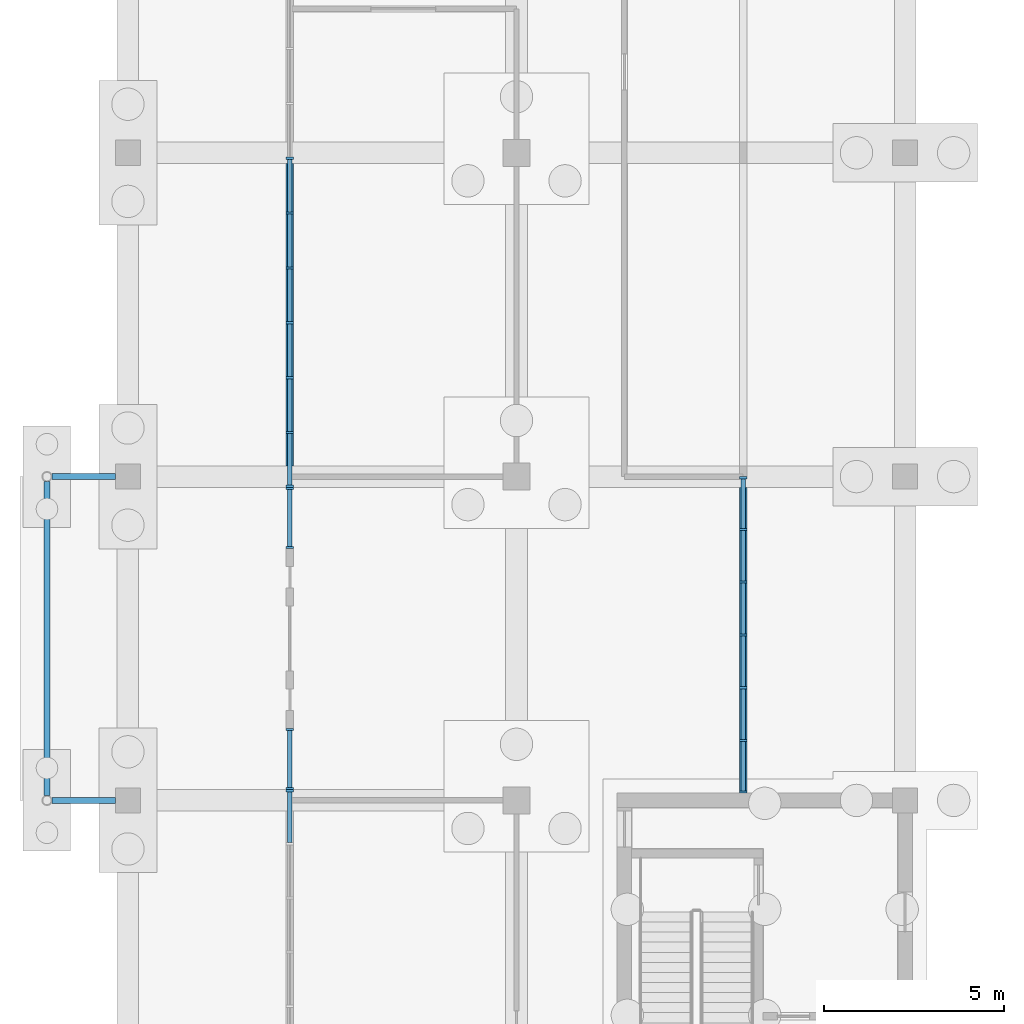
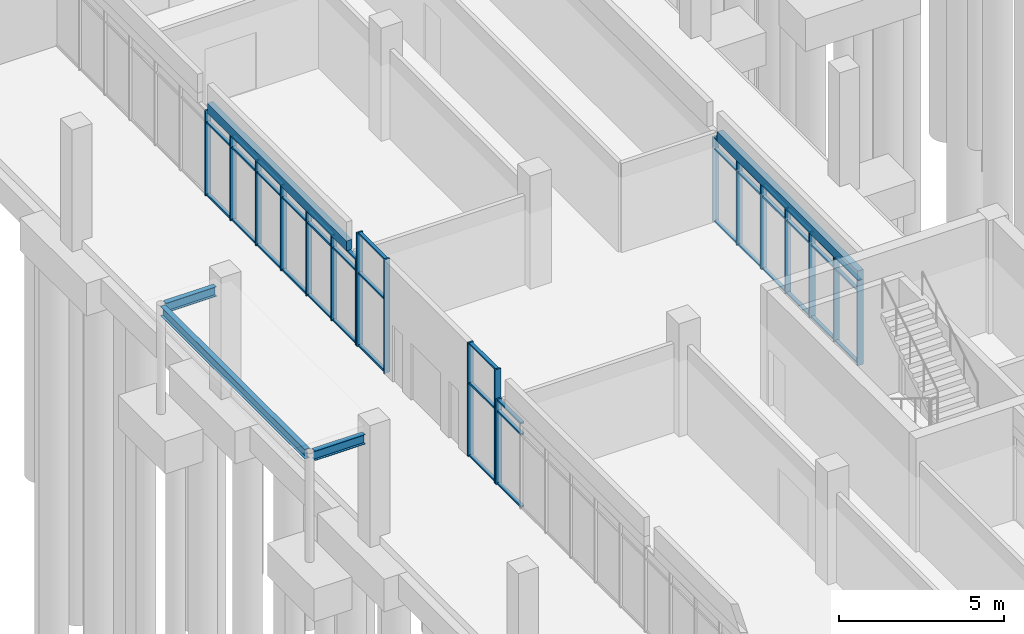
# One storey, part 42 of 106: 63 members, 5 beams, 5 elements without a shape of their own.
"""IFC4 building model written with IfcOpenShell, lengths in metres."""

from ifc_helpers import new_model, si_unit, direction, frame, origin, origin_2d, place, context, subcontext, project, spatial, rectangle, i_section, extrude, material, material_profile, profile_set, type_object, element, aggregate, save


model = new_model("IFC4")

# Units and contexts
model_context = context("Model", 3, precision=1e-05, world=origin(), true_north=direction((0.0, 1.0)))
body_context = subcontext(model_context, "Body", "Model", "MODEL_VIEW")
ifc_project = project(units=[si_unit("LENGTHUNIT", "METRE"), si_unit("AREAUNIT", "SQUARE_METRE"), si_unit("VOLUMEUNIT", "CUBIC_METRE"), si_unit("PLANEANGLEUNIT", "RADIAN"), si_unit("MASSUNIT", "GRAM", prefix="KILO")], contexts=[model_context])

# Site, building, storey
site_placement = place(None, origin())
site = spatial("IfcSite", under=ifc_project, at=site_placement, CompositionType="ELEMENT")
building_placement = place(site_placement, origin())
building = spatial("IfcBuilding", under=site, at=building_placement, Name="Merrow Basin Faculty of Sciences", CompositionType="ELEMENT")
storey_placement = place(building_placement, origin())
storey = spatial("IfcBuildingStorey", under=building, at=storey_placement, Name="L00", CompositionType="ELEMENT", Elevation=0.0)

# Curtain wall, member
ifc_material_1 = material(Name="Aluminium alloy 6063", Category="aluminium")
curtain_wall_type = type_object("IfcCurtainWallType", Name="Bar ground curtain wall 200", PredefinedType="NOTDEFINED", material=ifc_material_1)
curtain_wall_1_placement = place(storey_placement, origin())
curtain_wall_1 = element("IfcCurtainWall", 1, at=curtain_wall_1_placement, inside=storey, type_object=curtain_wall_type, Name="Ground curtain wall L00 1", PredefinedType="NOTDEFINED")
ifc_material_2 = material(Name="Aluminium alloy 6063", Category="aluminium")
ifc_material_profile_1 = material_profile(ifc_material_2, rectangle(XDim=0.199951171875, YDim=0.06005859375, at=origin_2d()))
ifc_profile_set_1 = profile_set([ifc_material_profile_1], Name="Aluminium alloy 6063")
member_type_1 = type_object("IfcMemberType", Name="Aluminium mullion 60x200", PredefinedType="MULLION", material=ifc_profile_set_1)
member_1_placement = place(storey_placement, frame((4.5, 97.27001953125, 0.0), z_axis=(0.0, 0.0, 1.0), x_axis=(-1.0, 0.0, 0.0)))
member_1 = element("IfcMember", 2, at=member_1_placement, type_object=member_type_1, Name="CW2 mullion 19", PredefinedType="MULLION", context=body_context, shape_type="SweptSolid", body=[
    extrude(rectangle(XDim=0.199951171875, YDim=0.06005859375, at=origin_2d()), origin(), (0.0, 0.0, 1.0), 3.139892578125),
])

# Curtain wall, members
curtain_wall_2_placement = place(storey_placement, origin())
curtain_wall_2 = element("IfcCurtainWall", 3, at=curtain_wall_2_placement, inside=storey, type_object=curtain_wall_type, Name="Ground curtain wall L00 2", PredefinedType="NOTDEFINED")
member_2_placement = place(storey_placement, frame((4.5, 97.330078125, 0.0), z_axis=(0.0, 0.0, 1.0), x_axis=(-1.0, 0.0, 0.0)))
member_2 = element("IfcMember", 4, at=member_2_placement, type_object=member_type_1, Name="CW2 mullion 1", PredefinedType="MULLION", context=body_context, shape_type="SweptSolid", body=[
    extrude(rectangle(XDim=0.199951171875, YDim=0.06005859375, at=origin_2d()), origin(), (0.0, 0.0, 1.0), 4.199951171875),
])
member_3_placement = place(storey_placement, frame((4.5, 98.969970703125, 0.0), z_axis=(0.0, 0.0, 1.0), x_axis=(-1.0, 0.0, 0.0)))
member_3 = element("IfcMember", 5, at=member_3_placement, type_object=member_type_1, Name="CW2 mullion 2", PredefinedType="MULLION", context=body_context, shape_type="SweptSolid", body=[
    extrude(rectangle(XDim=0.199951171875, YDim=0.06005859375, at=origin_2d()), origin(), (0.0, 0.0, 1.0), 4.199951171875),
])

curtain_wall_3_placement = place(storey_placement, origin())
curtain_wall_3 = element("IfcCurtainWall", 6, at=curtain_wall_3_placement, inside=storey, type_object=curtain_wall_type, Name="Ground curtain wall L00 3", PredefinedType="NOTDEFINED")
member_4_placement = place(storey_placement, frame((4.5, 105.72998046875, 0.0), z_axis=(0.0, 0.0, 1.0), x_axis=(-1.0, 0.0, 0.0)))
member_4 = element("IfcMember", 7, at=member_4_placement, type_object=member_type_1, Name="CW2 mullion 1", PredefinedType="MULLION", context=body_context, shape_type="SweptSolid", body=[
    extrude(rectangle(XDim=0.199951171875, YDim=0.06005859375, at=origin_2d()), origin(), (0.0, 0.0, 1.0), 3.139892578125),
])
member_5_placement = place(storey_placement, frame((4.5, 107.22509765625, 0.0), z_axis=(0.0, 0.0, 1.0), x_axis=(-1.0, 0.0, 0.0)))
member_5 = element("IfcMember", 8, at=member_5_placement, type_object=member_type_1, Name="CW2 mullion 2", PredefinedType="MULLION", context=body_context, shape_type="SweptSolid", body=[
    extrude(rectangle(XDim=0.199951171875, YDim=0.06005859375, at=origin_2d()), origin(), (0.0, 0.0, 1.0), 3.139892578125),
])
member_6_placement = place(storey_placement, frame((4.5, 108.75, 0.0), z_axis=(0.0, 0.0, 1.0), x_axis=(-1.0, 0.0, 0.0)))
member_6 = element("IfcMember", 9, at=member_6_placement, type_object=member_type_1, Name="CW2 mullion 3", PredefinedType="MULLION", context=body_context, shape_type="SweptSolid", body=[
    extrude(rectangle(XDim=0.199951171875, YDim=0.06005859375, at=origin_2d()), origin(), (0.0, 0.0, 1.0), 3.139892578125),
])
member_7_placement = place(storey_placement, frame((4.5, 110.27490234375, 0.0), z_axis=(0.0, 0.0, 1.0), x_axis=(-1.0, 0.0, 0.0)))
member_7 = element("IfcMember", 10, at=member_7_placement, type_object=member_type_1, Name="CW2 mullion 4", PredefinedType="MULLION", context=body_context, shape_type="SweptSolid", body=[
    extrude(rectangle(XDim=0.199951171875, YDim=0.06005859375, at=origin_2d()), origin(), (0.0, 0.0, 1.0), 3.139892578125),
])
member_8_placement = place(storey_placement, frame((4.5, 111.800048828125, 0.0), z_axis=(0.0, 0.0, 1.0), x_axis=(-1.0, 0.0, 0.0)))
member_8 = element("IfcMember", 11, at=member_8_placement, type_object=member_type_1, Name="CW2 mullion 5", PredefinedType="MULLION", context=body_context, shape_type="SweptSolid", body=[
    extrude(rectangle(XDim=0.199951171875, YDim=0.06005859375, at=origin_2d()), origin(), (0.0, 0.0, 1.0), 3.139892578125),
])
member_9_placement = place(storey_placement, frame((4.5, 113.324951171875, 0.0), z_axis=(0.0, 0.0, 1.0), x_axis=(-1.0, 0.0, 0.0)))
member_9 = element("IfcMember", 12, at=member_9_placement, type_object=member_type_1, Name="CW2 mullion 6", PredefinedType="MULLION", context=body_context, shape_type="SweptSolid", body=[
    extrude(rectangle(XDim=0.199951171875, YDim=0.06005859375, at=origin_2d()), origin(), (0.0, 0.0, 1.0), 3.139892578125),
])
member_10_placement = place(storey_placement, frame((4.5, 114.85009765625, 0.0), z_axis=(0.0, 0.0, 1.0), x_axis=(-1.0, 0.0, 0.0)))
member_10 = element("IfcMember", 13, at=member_10_placement, type_object=member_type_1, Name="CW2 mullion 7", PredefinedType="MULLION", context=body_context, shape_type="SweptSolid", body=[
    extrude(rectangle(XDim=0.199951171875, YDim=0.06005859375, at=origin_2d()), origin(), (0.0, 0.0, 1.0), 3.139892578125),
])

curtain_wall_4_placement = place(storey_placement, origin())
curtain_wall_4 = element("IfcCurtainWall", 14, at=curtain_wall_4_placement, inside=storey, type_object=curtain_wall_type, Name="Ground curtain wall L00 4", PredefinedType="NOTDEFINED")
member_11_placement = place(storey_placement, frame((4.5, 104.030029296875, 0.0), z_axis=(0.0, 0.0, 1.0), x_axis=(-1.0, 0.0, 0.0)))
member_11 = element("IfcMember", 15, at=member_11_placement, type_object=member_type_1, Name="CW2 mullion 1", PredefinedType="MULLION", context=body_context, shape_type="SweptSolid", body=[
    extrude(rectangle(XDim=0.199951171875, YDim=0.06005859375, at=origin_2d()), origin(), (0.0, 0.0, 1.0), 4.199951171875),
])
member_12_placement = place(storey_placement, frame((4.5, 105.669921875, 0.0), z_axis=(0.0, 0.0, 1.0), x_axis=(-1.0, 0.0, 0.0)))
member_12 = element("IfcMember", 16, at=member_12_placement, type_object=member_type_1, Name="CW2 mullion 2", PredefinedType="MULLION", context=body_context, shape_type="SweptSolid", body=[
    extrude(rectangle(XDim=0.199951171875, YDim=0.06005859375, at=origin_2d()), origin(), (0.0, 0.0, 1.0), 4.199951171875),
])

curtain_wall_5_placement = place(storey_placement, origin())
curtain_wall_5 = element("IfcCurtainWall", 17, at=curtain_wall_5_placement, inside=storey, type_object=curtain_wall_type, Name="Ground curtain wall L00 6", PredefinedType="NOTDEFINED")
member_13_placement = place(storey_placement, frame((17.10009765625, 97.22998046875, 0.0), z_axis=(0.0, 0.0, 1.0), x_axis=(-1.0, 0.0, 0.0)))
member_13 = element("IfcMember", 18, at=member_13_placement, type_object=member_type_1, Name="CW2 mullion 1", PredefinedType="MULLION", context=body_context, shape_type="SweptSolid", body=[
    extrude(rectangle(XDim=0.199951171875, YDim=0.06005859375, at=origin_2d()), origin(), (0.0, 0.0, 1.0), 3.139892578125),
])
member_14_placement = place(storey_placement, frame((17.10009765625, 98.666748046875, 0.0), z_axis=(0.0, 0.0, 1.0), x_axis=(-1.0, 0.0, 0.0)))
member_14 = element("IfcMember", 19, at=member_14_placement, type_object=member_type_1, Name="CW2 mullion 2", PredefinedType="MULLION", context=body_context, shape_type="SweptSolid", body=[
    extrude(rectangle(XDim=0.199951171875, YDim=0.06005859375, at=origin_2d()), origin(), (0.0, 0.0, 1.0), 3.139892578125),
])
member_15_placement = place(storey_placement, frame((17.10009765625, 100.13330078125, 0.0), z_axis=(0.0, 0.0, 1.0), x_axis=(-1.0, 0.0, 0.0)))
member_15 = element("IfcMember", 20, at=member_15_placement, type_object=member_type_1, Name="CW2 mullion 3", PredefinedType="MULLION", context=body_context, shape_type="SweptSolid", body=[
    extrude(rectangle(XDim=0.199951171875, YDim=0.06005859375, at=origin_2d()), origin(), (0.0, 0.0, 1.0), 3.139892578125),
])
member_16_placement = place(storey_placement, frame((17.10009765625, 101.60009765625, 0.0), z_axis=(0.0, 0.0, 1.0), x_axis=(-1.0, 0.0, 0.0)))
member_16 = element("IfcMember", 21, at=member_16_placement, type_object=member_type_1, Name="CW2 mullion 4", PredefinedType="MULLION", context=body_context, shape_type="SweptSolid", body=[
    extrude(rectangle(XDim=0.199951171875, YDim=0.06005859375, at=origin_2d()), origin(), (0.0, 0.0, 1.0), 3.139892578125),
])
member_17_placement = place(storey_placement, frame((17.10009765625, 103.066650390625, 0.0), z_axis=(0.0, 0.0, 1.0), x_axis=(-1.0, 0.0, 0.0)))
member_17 = element("IfcMember", 22, at=member_17_placement, type_object=member_type_1, Name="CW2 mullion 5", PredefinedType="MULLION", context=body_context, shape_type="SweptSolid", body=[
    extrude(rectangle(XDim=0.199951171875, YDim=0.06005859375, at=origin_2d()), origin(), (0.0, 0.0, 1.0), 3.139892578125),
])
member_18_placement = place(storey_placement, frame((17.10009765625, 104.533447265625, 0.0), z_axis=(0.0, 0.0, 1.0), x_axis=(-1.0, 0.0, 0.0)))
member_18 = element("IfcMember", 23, at=member_18_placement, type_object=member_type_1, Name="CW2 mullion 6", PredefinedType="MULLION", context=body_context, shape_type="SweptSolid", body=[
    extrude(rectangle(XDim=0.199951171875, YDim=0.06005859375, at=origin_2d()), origin(), (0.0, 0.0, 1.0), 3.139892578125),
])
member_19_placement = place(storey_placement, frame((17.10009765625, 105.969970703125, 0.0), z_axis=(0.0, 0.0, 1.0), x_axis=(-1.0, 0.0, 0.0)))
member_19 = element("IfcMember", 24, at=member_19_placement, type_object=member_type_1, Name="CW2 mullion 7", PredefinedType="MULLION", context=body_context, shape_type="SweptSolid", body=[
    extrude(rectangle(XDim=0.199951171875, YDim=0.06005859375, at=origin_2d()), origin(), (0.0, 0.0, 1.0), 3.139892578125),
])

# Member
ifc_material_3 = material(Name="Aluminium alloy 6063", Category="aluminium")
ifc_material_profile_2 = material_profile(ifc_material_3, rectangle(XDim=0.1201171875, YDim=0.06005859375, at=origin_2d()))
ifc_profile_set_2 = profile_set([ifc_material_profile_2], Name="Aluminium alloy 6063")
member_type_2 = type_object("IfcMemberType", Name="Aluminium transom 60x120", PredefinedType="USERDEFINED", material=ifc_profile_set_2)
member_20_placement = place(storey_placement, frame((4.5, 95.824462890625, 0.030029296875), z_axis=(0.0, 1.0, 0.0), x_axis=(-1.0, 0.0, 0.0)))
member_20 = element("IfcMember", 25, at=member_20_placement, type_object=member_type_2, Name="CW2 transom 18.1", ObjectType="TRANSOM", PredefinedType="USERDEFINED", context=body_context, shape_type="SweptSolid", body=[
    extrude(rectangle(XDim=0.1201171875, YDim=0.06005859375, at=origin_2d()), origin(), (0.0, 0.0, 1.0), 1.41552734375),
])

member_21_placement = place(storey_placement, frame((4.5, 95.824462890625, 2.699951171875), z_axis=(0.0, 1.0, 0.0), x_axis=(-1.0, 0.0, 0.0)))
member_21 = element("IfcMember", 26, at=member_21_placement, type_object=member_type_2, Name="CW2 transom 18.2", ObjectType="TRANSOM", PredefinedType="USERDEFINED", context=body_context, shape_type="SweptSolid", body=[
    extrude(rectangle(XDim=0.1201171875, YDim=0.06005859375, at=origin_2d()), origin(), (0.0, 0.0, 1.0), 1.41552734375),
])

member_22_placement = place(storey_placement, frame((4.5, 95.824462890625, 3.110107421875), z_axis=(0.0, 1.0, 0.0), x_axis=(-1.0, 0.0, 0.0)))
member_22 = element("IfcMember", 27, at=member_22_placement, type_object=member_type_2, Name="CW2 transom 18.3", ObjectType="TRANSOM", PredefinedType="USERDEFINED", context=body_context, shape_type="SweptSolid", body=[
    extrude(rectangle(XDim=0.1201171875, YDim=0.06005859375, at=origin_2d()), origin(), (0.0, 0.0, 1.0), 1.41552734375),
])

aggregate(curtain_wall_1, [member_1, member_20, member_21, member_22])

member_23_placement = place(storey_placement, frame((4.5, 97.360107421875, 0.030029296875), z_axis=(0.0, 1.0, 0.0), x_axis=(-1.0, 0.0, 0.0)))
member_23 = element("IfcMember", 28, at=member_23_placement, type_object=member_type_2, Name="CW2 transom 1.1", ObjectType="TRANSOM", PredefinedType="USERDEFINED", context=body_context, shape_type="SweptSolid", body=[
    extrude(rectangle(XDim=0.1201171875, YDim=0.06005859375, at=origin_2d()), origin(), (0.0, 0.0, 1.0), 1.579833984375),
])

member_24_placement = place(storey_placement, frame((4.5, 97.360107421875, 2.699951171875), z_axis=(0.0, 1.0, 0.0), x_axis=(-1.0, 0.0, 0.0)))
member_24 = element("IfcMember", 29, at=member_24_placement, type_object=member_type_2, Name="CW2 transom 1.2", ObjectType="TRANSOM", PredefinedType="USERDEFINED", context=body_context, shape_type="SweptSolid", body=[
    extrude(rectangle(XDim=0.1201171875, YDim=0.06005859375, at=origin_2d()), origin(), (0.0, 0.0, 1.0), 1.579833984375),
])

member_25_placement = place(storey_placement, frame((4.5, 97.360107421875, 4.169921875), z_axis=(0.0, 1.0, 0.0), x_axis=(-1.0, 0.0, 0.0)))
member_25 = element("IfcMember", 30, at=member_25_placement, type_object=member_type_2, Name="CW2 transom 1.3", ObjectType="TRANSOM", PredefinedType="USERDEFINED", context=body_context, shape_type="SweptSolid", body=[
    extrude(rectangle(XDim=0.1201171875, YDim=0.06005859375, at=origin_2d()), origin(), (0.0, 0.0, 1.0), 1.579833984375),
])

aggregate(curtain_wall_2, [member_2, member_3, member_23, member_24, member_25])

member_26_placement = place(storey_placement, frame((4.5, 105.760009765625, 0.030029296875), z_axis=(0.0, 1.0, 0.0), x_axis=(-1.0, 0.0, 0.0)))
member_26 = element("IfcMember", 31, at=member_26_placement, type_object=member_type_2, Name="CW2 transom 1.1", ObjectType="TRANSOM", PredefinedType="USERDEFINED", context=body_context, shape_type="SweptSolid", body=[
    extrude(rectangle(XDim=0.1201171875, YDim=0.06005859375, at=origin_2d()), origin(), (0.0, 0.0, 1.0), 1.43505859375),
])

member_27_placement = place(storey_placement, frame((4.5, 105.760009765625, 2.699951171875), z_axis=(0.0, 1.0, 0.0), x_axis=(-1.0, 0.0, 0.0)))
member_27 = element("IfcMember", 32, at=member_27_placement, type_object=member_type_2, Name="CW2 transom 1.2", ObjectType="TRANSOM", PredefinedType="USERDEFINED", context=body_context, shape_type="SweptSolid", body=[
    extrude(rectangle(XDim=0.1201171875, YDim=0.06005859375, at=origin_2d()), origin(), (0.0, 0.0, 1.0), 1.43505859375),
])

member_28_placement = place(storey_placement, frame((4.5, 105.760009765625, 3.110107421875), z_axis=(0.0, 1.0, 0.0), x_axis=(-1.0, 0.0, 0.0)))
member_28 = element("IfcMember", 33, at=member_28_placement, type_object=member_type_2, Name="CW2 transom 1.3", ObjectType="TRANSOM", PredefinedType="USERDEFINED", context=body_context, shape_type="SweptSolid", body=[
    extrude(rectangle(XDim=0.1201171875, YDim=0.06005859375, at=origin_2d()), origin(), (0.0, 0.0, 1.0), 1.43505859375),
])

member_29_placement = place(storey_placement, frame((4.5, 107.2548828125, 0.030029296875), z_axis=(0.0, 1.0, 0.0), x_axis=(-1.0, 0.0, 0.0)))
member_29 = element("IfcMember", 34, at=member_29_placement, type_object=member_type_2, Name="CW2 transom 2.1", ObjectType="TRANSOM", PredefinedType="USERDEFINED", context=body_context, shape_type="SweptSolid", body=[
    extrude(rectangle(XDim=0.1201171875, YDim=0.06005859375, at=origin_2d()), origin(), (0.0, 0.0, 1.0), 1.465087890625),
])

member_30_placement = place(storey_placement, frame((4.5, 107.2548828125, 2.699951171875), z_axis=(0.0, 1.0, 0.0), x_axis=(-1.0, 0.0, 0.0)))
member_30 = element("IfcMember", 35, at=member_30_placement, type_object=member_type_2, Name="CW2 transom 2.2", ObjectType="TRANSOM", PredefinedType="USERDEFINED", context=body_context, shape_type="SweptSolid", body=[
    extrude(rectangle(XDim=0.1201171875, YDim=0.06005859375, at=origin_2d()), origin(), (0.0, 0.0, 1.0), 1.465087890625),
])

member_31_placement = place(storey_placement, frame((4.5, 107.2548828125, 3.110107421875), z_axis=(0.0, 1.0, 0.0), x_axis=(-1.0, 0.0, 0.0)))
member_31 = element("IfcMember", 36, at=member_31_placement, type_object=member_type_2, Name="CW2 transom 2.3", ObjectType="TRANSOM", PredefinedType="USERDEFINED", context=body_context, shape_type="SweptSolid", body=[
    extrude(rectangle(XDim=0.1201171875, YDim=0.06005859375, at=origin_2d()), origin(), (0.0, 0.0, 1.0), 1.465087890625),
])

member_32_placement = place(storey_placement, frame((4.5, 108.780029296875, 0.030029296875), z_axis=(0.0, 1.0, 0.0), x_axis=(-1.0, 0.0, 0.0)))
member_32 = element("IfcMember", 37, at=member_32_placement, type_object=member_type_2, Name="CW2 transom 3.1", ObjectType="TRANSOM", PredefinedType="USERDEFINED", context=body_context, shape_type="SweptSolid", body=[
    extrude(rectangle(XDim=0.1201171875, YDim=0.06005859375, at=origin_2d()), origin(), (0.0, 0.0, 1.0), 1.465087890625),
])

member_33_placement = place(storey_placement, frame((4.5, 108.780029296875, 2.699951171875), z_axis=(0.0, 1.0, 0.0), x_axis=(-1.0, 0.0, 0.0)))
member_33 = element("IfcMember", 38, at=member_33_placement, type_object=member_type_2, Name="CW2 transom 3.2", ObjectType="TRANSOM", PredefinedType="USERDEFINED", context=body_context, shape_type="SweptSolid", body=[
    extrude(rectangle(XDim=0.1201171875, YDim=0.06005859375, at=origin_2d()), origin(), (0.0, 0.0, 1.0), 1.465087890625),
])

member_34_placement = place(storey_placement, frame((4.5, 108.780029296875, 3.110107421875), z_axis=(0.0, 1.0, 0.0), x_axis=(-1.0, 0.0, 0.0)))
member_34 = element("IfcMember", 39, at=member_34_placement, type_object=member_type_2, Name="CW2 transom 3.3", ObjectType="TRANSOM", PredefinedType="USERDEFINED", context=body_context, shape_type="SweptSolid", body=[
    extrude(rectangle(XDim=0.1201171875, YDim=0.06005859375, at=origin_2d()), origin(), (0.0, 0.0, 1.0), 1.465087890625),
])

member_35_placement = place(storey_placement, frame((4.5, 110.304931640625, 0.030029296875), z_axis=(0.0, 1.0, 0.0), x_axis=(-1.0, 0.0, 0.0)))
member_35 = element("IfcMember", 40, at=member_35_placement, type_object=member_type_2, Name="CW2 transom 4.1", ObjectType="TRANSOM", PredefinedType="USERDEFINED", context=body_context, shape_type="SweptSolid", body=[
    extrude(rectangle(XDim=0.1201171875, YDim=0.06005859375, at=origin_2d()), origin(), (0.0, 0.0, 1.0), 1.465087890625),
])

member_36_placement = place(storey_placement, frame((4.5, 110.304931640625, 2.699951171875), z_axis=(0.0, 1.0, 0.0), x_axis=(-1.0, 0.0, 0.0)))
member_36 = element("IfcMember", 41, at=member_36_placement, type_object=member_type_2, Name="CW2 transom 4.2", ObjectType="TRANSOM", PredefinedType="USERDEFINED", context=body_context, shape_type="SweptSolid", body=[
    extrude(rectangle(XDim=0.1201171875, YDim=0.06005859375, at=origin_2d()), origin(), (0.0, 0.0, 1.0), 1.465087890625),
])

member_37_placement = place(storey_placement, frame((4.5, 110.304931640625, 3.110107421875), z_axis=(0.0, 1.0, 0.0), x_axis=(-1.0, 0.0, 0.0)))
member_37 = element("IfcMember", 42, at=member_37_placement, type_object=member_type_2, Name="CW2 transom 4.3", ObjectType="TRANSOM", PredefinedType="USERDEFINED", context=body_context, shape_type="SweptSolid", body=[
    extrude(rectangle(XDim=0.1201171875, YDim=0.06005859375, at=origin_2d()), origin(), (0.0, 0.0, 1.0), 1.465087890625),
])

member_38_placement = place(storey_placement, frame((4.5, 111.830078125, 0.030029296875), z_axis=(0.0, 1.0, 0.0), x_axis=(-1.0, 0.0, 0.0)))
member_38 = element("IfcMember", 43, at=member_38_placement, type_object=member_type_2, Name="CW2 transom 5.1", ObjectType="TRANSOM", PredefinedType="USERDEFINED", context=body_context, shape_type="SweptSolid", body=[
    extrude(rectangle(XDim=0.1201171875, YDim=0.06005859375, at=origin_2d()), origin(), (0.0, 0.0, 1.0), 1.46484375),
])

member_39_placement = place(storey_placement, frame((4.5, 111.830078125, 2.699951171875), z_axis=(0.0, 1.0, 0.0), x_axis=(-1.0, 0.0, 0.0)))
member_39 = element("IfcMember", 44, at=member_39_placement, type_object=member_type_2, Name="CW2 transom 5.2", ObjectType="TRANSOM", PredefinedType="USERDEFINED", context=body_context, shape_type="SweptSolid", body=[
    extrude(rectangle(XDim=0.1201171875, YDim=0.06005859375, at=origin_2d()), origin(), (0.0, 0.0, 1.0), 1.46484375),
])

member_40_placement = place(storey_placement, frame((4.5, 111.830078125, 3.110107421875), z_axis=(0.0, 1.0, 0.0), x_axis=(-1.0, 0.0, 0.0)))
member_40 = element("IfcMember", 45, at=member_40_placement, type_object=member_type_2, Name="CW2 transom 5.3", ObjectType="TRANSOM", PredefinedType="USERDEFINED", context=body_context, shape_type="SweptSolid", body=[
    extrude(rectangle(XDim=0.1201171875, YDim=0.06005859375, at=origin_2d()), origin(), (0.0, 0.0, 1.0), 1.46484375),
])

member_41_placement = place(storey_placement, frame((4.5, 113.35498046875, 0.030029296875), z_axis=(0.0, 1.0, 0.0), x_axis=(-1.0, 0.0, 0.0)))
member_41 = element("IfcMember", 46, at=member_41_placement, type_object=member_type_2, Name="CW2 transom 6.1", ObjectType="TRANSOM", PredefinedType="USERDEFINED", context=body_context, shape_type="SweptSolid", body=[
    extrude(rectangle(XDim=0.1201171875, YDim=0.06005859375, at=origin_2d()), origin(), (0.0, 0.0, 1.0), 1.465087890625),
])

member_42_placement = place(storey_placement, frame((4.5, 113.35498046875, 2.699951171875), z_axis=(0.0, 1.0, 0.0), x_axis=(-1.0, 0.0, 0.0)))
member_42 = element("IfcMember", 47, at=member_42_placement, type_object=member_type_2, Name="CW2 transom 6.2", ObjectType="TRANSOM", PredefinedType="USERDEFINED", context=body_context, shape_type="SweptSolid", body=[
    extrude(rectangle(XDim=0.1201171875, YDim=0.06005859375, at=origin_2d()), origin(), (0.0, 0.0, 1.0), 1.465087890625),
])

aggregate(curtain_wall_3, [member_4, member_5, member_6, member_7, member_8, member_9, member_10, member_26, member_27, member_28, member_29, member_30, member_31, member_32, member_33, member_34, member_35, member_36, member_37, member_38, member_39, member_40, member_41, member_42])

member_43_placement = place(storey_placement, frame((4.5, 104.06005859375, 0.030029296875), z_axis=(0.0, 1.0, 0.0), x_axis=(-1.0, 0.0, 0.0)))
member_43 = element("IfcMember", 48, at=member_43_placement, type_object=member_type_2, Name="CW2 transom 1.1", ObjectType="TRANSOM", PredefinedType="USERDEFINED", context=body_context, shape_type="SweptSolid", body=[
    extrude(rectangle(XDim=0.1201171875, YDim=0.06005859375, at=origin_2d()), origin(), (0.0, 0.0, 1.0), 1.579833984375),
])

member_44_placement = place(storey_placement, frame((4.5, 104.06005859375, 2.699951171875), z_axis=(0.0, 1.0, 0.0), x_axis=(-1.0, 0.0, 0.0)))
member_44 = element("IfcMember", 49, at=member_44_placement, type_object=member_type_2, Name="CW2 transom 1.2", ObjectType="TRANSOM", PredefinedType="USERDEFINED", context=body_context, shape_type="SweptSolid", body=[
    extrude(rectangle(XDim=0.1201171875, YDim=0.06005859375, at=origin_2d()), origin(), (0.0, 0.0, 1.0), 1.579833984375),
])

member_45_placement = place(storey_placement, frame((4.5, 104.06005859375, 4.169921875), z_axis=(0.0, 1.0, 0.0), x_axis=(-1.0, 0.0, 0.0)))
member_45 = element("IfcMember", 50, at=member_45_placement, type_object=member_type_2, Name="CW2 transom 1.3", ObjectType="TRANSOM", PredefinedType="USERDEFINED", context=body_context, shape_type="SweptSolid", body=[
    extrude(rectangle(XDim=0.1201171875, YDim=0.06005859375, at=origin_2d()), origin(), (0.0, 0.0, 1.0), 1.579833984375),
])

aggregate(curtain_wall_4, [member_11, member_12, member_43, member_44, member_45])

member_46_placement = place(storey_placement, frame((17.10009765625, 97.260009765625, 0.030029296875), z_axis=(0.0, 1.0, 0.0), x_axis=(-1.0, 0.0, 0.0)))
member_46 = element("IfcMember", 51, at=member_46_placement, type_object=member_type_2, Name="CW2 transom 1.1", ObjectType="TRANSOM", PredefinedType="USERDEFINED", context=body_context, shape_type="SweptSolid", body=[
    extrude(rectangle(XDim=0.1201171875, YDim=0.06005859375, at=origin_2d()), origin(), (0.0, 0.0, 1.0), 1.376708984375),
])

member_47_placement = place(storey_placement, frame((17.10009765625, 97.260009765625, 2.699951171875), z_axis=(0.0, 1.0, 0.0), x_axis=(-1.0, 0.0, 0.0)))
member_47 = element("IfcMember", 52, at=member_47_placement, type_object=member_type_2, Name="CW2 transom 1.2", ObjectType="TRANSOM", PredefinedType="USERDEFINED", context=body_context, shape_type="SweptSolid", body=[
    extrude(rectangle(XDim=0.1201171875, YDim=0.06005859375, at=origin_2d()), origin(), (0.0, 0.0, 1.0), 1.376708984375),
])

member_48_placement = place(storey_placement, frame((17.10009765625, 97.260009765625, 3.110107421875), z_axis=(0.0, 1.0, 0.0), x_axis=(-1.0, 0.0, 0.0)))
member_48 = element("IfcMember", 53, at=member_48_placement, type_object=member_type_2, Name="CW2 transom 1.3", ObjectType="TRANSOM", PredefinedType="USERDEFINED", context=body_context, shape_type="SweptSolid", body=[
    extrude(rectangle(XDim=0.1201171875, YDim=0.06005859375, at=origin_2d()), origin(), (0.0, 0.0, 1.0), 1.376708984375),
])

member_49_placement = place(storey_placement, frame((17.10009765625, 98.69677734375, 0.030029296875), z_axis=(0.0, 1.0, 0.0), x_axis=(-1.0, 0.0, 0.0)))
member_49 = element("IfcMember", 54, at=member_49_placement, type_object=member_type_2, Name="CW2 transom 2.1", ObjectType="TRANSOM", PredefinedType="USERDEFINED", context=body_context, shape_type="SweptSolid", body=[
    extrude(rectangle(XDim=0.1201171875, YDim=0.06005859375, at=origin_2d()), origin(), (0.0, 0.0, 1.0), 1.406494140625),
])

member_50_placement = place(storey_placement, frame((17.10009765625, 98.69677734375, 2.699951171875), z_axis=(0.0, 1.0, 0.0), x_axis=(-1.0, 0.0, 0.0)))
member_50 = element("IfcMember", 55, at=member_50_placement, type_object=member_type_2, Name="CW2 transom 2.2", ObjectType="TRANSOM", PredefinedType="USERDEFINED", context=body_context, shape_type="SweptSolid", body=[
    extrude(rectangle(XDim=0.1201171875, YDim=0.06005859375, at=origin_2d()), origin(), (0.0, 0.0, 1.0), 1.406494140625),
])

member_51_placement = place(storey_placement, frame((17.10009765625, 98.69677734375, 3.110107421875), z_axis=(0.0, 1.0, 0.0), x_axis=(-1.0, 0.0, 0.0)))
member_51 = element("IfcMember", 56, at=member_51_placement, type_object=member_type_2, Name="CW2 transom 2.3", ObjectType="TRANSOM", PredefinedType="USERDEFINED", context=body_context, shape_type="SweptSolid", body=[
    extrude(rectangle(XDim=0.1201171875, YDim=0.06005859375, at=origin_2d()), origin(), (0.0, 0.0, 1.0), 1.406494140625),
])

member_52_placement = place(storey_placement, frame((17.10009765625, 100.163330078125, 0.030029296875), z_axis=(0.0, 1.0, 0.0), x_axis=(-1.0, 0.0, 0.0)))
member_52 = element("IfcMember", 57, at=member_52_placement, type_object=member_type_2, Name="CW2 transom 3.1", ObjectType="TRANSOM", PredefinedType="USERDEFINED", context=body_context, shape_type="SweptSolid", body=[
    extrude(rectangle(XDim=0.1201171875, YDim=0.06005859375, at=origin_2d()), origin(), (0.0, 0.0, 1.0), 1.40673828125),
])

member_53_placement = place(storey_placement, frame((17.10009765625, 100.163330078125, 2.699951171875), z_axis=(0.0, 1.0, 0.0), x_axis=(-1.0, 0.0, 0.0)))
member_53 = element("IfcMember", 58, at=member_53_placement, type_object=member_type_2, Name="CW2 transom 3.2", ObjectType="TRANSOM", PredefinedType="USERDEFINED", context=body_context, shape_type="SweptSolid", body=[
    extrude(rectangle(XDim=0.1201171875, YDim=0.06005859375, at=origin_2d()), origin(), (0.0, 0.0, 1.0), 1.40673828125),
])

member_54_placement = place(storey_placement, frame((17.10009765625, 100.163330078125, 3.110107421875), z_axis=(0.0, 1.0, 0.0), x_axis=(-1.0, 0.0, 0.0)))
member_54 = element("IfcMember", 59, at=member_54_placement, type_object=member_type_2, Name="CW2 transom 3.3", ObjectType="TRANSOM", PredefinedType="USERDEFINED", context=body_context, shape_type="SweptSolid", body=[
    extrude(rectangle(XDim=0.1201171875, YDim=0.06005859375, at=origin_2d()), origin(), (0.0, 0.0, 1.0), 1.40673828125),
])

member_55_placement = place(storey_placement, frame((17.10009765625, 101.6298828125, 0.030029296875), z_axis=(0.0, 1.0, 0.0), x_axis=(-1.0, 0.0, 0.0)))
member_55 = element("IfcMember", 60, at=member_55_placement, type_object=member_type_2, Name="CW2 transom 4.1", ObjectType="TRANSOM", PredefinedType="USERDEFINED", context=body_context, shape_type="SweptSolid", body=[
    extrude(rectangle(XDim=0.1201171875, YDim=0.06005859375, at=origin_2d()), origin(), (0.0, 0.0, 1.0), 1.40673828125),
])

member_56_placement = place(storey_placement, frame((17.10009765625, 101.6298828125, 2.699951171875), z_axis=(0.0, 1.0, 0.0), x_axis=(-1.0, 0.0, 0.0)))
member_56 = element("IfcMember", 61, at=member_56_placement, type_object=member_type_2, Name="CW2 transom 4.2", ObjectType="TRANSOM", PredefinedType="USERDEFINED", context=body_context, shape_type="SweptSolid", body=[
    extrude(rectangle(XDim=0.1201171875, YDim=0.06005859375, at=origin_2d()), origin(), (0.0, 0.0, 1.0), 1.40673828125),
])

member_57_placement = place(storey_placement, frame((17.10009765625, 101.6298828125, 3.110107421875), z_axis=(0.0, 1.0, 0.0), x_axis=(-1.0, 0.0, 0.0)))
member_57 = element("IfcMember", 62, at=member_57_placement, type_object=member_type_2, Name="CW2 transom 4.3", ObjectType="TRANSOM", PredefinedType="USERDEFINED", context=body_context, shape_type="SweptSolid", body=[
    extrude(rectangle(XDim=0.1201171875, YDim=0.06005859375, at=origin_2d()), origin(), (0.0, 0.0, 1.0), 1.40673828125),
])

member_58_placement = place(storey_placement, frame((17.10009765625, 103.0966796875, 0.030029296875), z_axis=(0.0, 1.0, 0.0), x_axis=(-1.0, 0.0, 0.0)))
member_58 = element("IfcMember", 63, at=member_58_placement, type_object=member_type_2, Name="CW2 transom 5.1", ObjectType="TRANSOM", PredefinedType="USERDEFINED", context=body_context, shape_type="SweptSolid", body=[
    extrude(rectangle(XDim=0.1201171875, YDim=0.06005859375, at=origin_2d()), origin(), (0.0, 0.0, 1.0), 1.40673828125),
])

member_59_placement = place(storey_placement, frame((17.10009765625, 103.0966796875, 2.699951171875), z_axis=(0.0, 1.0, 0.0), x_axis=(-1.0, 0.0, 0.0)))
member_59 = element("IfcMember", 64, at=member_59_placement, type_object=member_type_2, Name="CW2 transom 5.2", ObjectType="TRANSOM", PredefinedType="USERDEFINED", context=body_context, shape_type="SweptSolid", body=[
    extrude(rectangle(XDim=0.1201171875, YDim=0.06005859375, at=origin_2d()), origin(), (0.0, 0.0, 1.0), 1.40673828125),
])

member_60_placement = place(storey_placement, frame((17.10009765625, 103.0966796875, 3.110107421875), z_axis=(0.0, 1.0, 0.0), x_axis=(-1.0, 0.0, 0.0)))
member_60 = element("IfcMember", 65, at=member_60_placement, type_object=member_type_2, Name="CW2 transom 5.3", ObjectType="TRANSOM", PredefinedType="USERDEFINED", context=body_context, shape_type="SweptSolid", body=[
    extrude(rectangle(XDim=0.1201171875, YDim=0.06005859375, at=origin_2d()), origin(), (0.0, 0.0, 1.0), 1.40673828125),
])

member_61_placement = place(storey_placement, frame((17.10009765625, 104.563232421875, 0.030029296875), z_axis=(0.0, 1.0, 0.0), x_axis=(-1.0, 0.0, 0.0)))
member_61 = element("IfcMember", 66, at=member_61_placement, type_object=member_type_2, Name="CW2 transom 6.1", ObjectType="TRANSOM", PredefinedType="USERDEFINED", context=body_context, shape_type="SweptSolid", body=[
    extrude(rectangle(XDim=0.1201171875, YDim=0.06005859375, at=origin_2d()), origin(), (0.0, 0.0, 1.0), 1.376708984375),
])

member_62_placement = place(storey_placement, frame((17.10009765625, 104.563232421875, 2.699951171875), z_axis=(0.0, 1.0, 0.0), x_axis=(-1.0, 0.0, 0.0)))
member_62 = element("IfcMember", 67, at=member_62_placement, type_object=member_type_2, Name="CW2 transom 6.2", ObjectType="TRANSOM", PredefinedType="USERDEFINED", context=body_context, shape_type="SweptSolid", body=[
    extrude(rectangle(XDim=0.1201171875, YDim=0.06005859375, at=origin_2d()), origin(), (0.0, 0.0, 1.0), 1.376708984375),
])

member_63_placement = place(storey_placement, frame((17.10009765625, 104.563232421875, 3.110107421875), z_axis=(0.0, 1.0, 0.0), x_axis=(-1.0, 0.0, 0.0)))
member_63 = element("IfcMember", 68, at=member_63_placement, type_object=member_type_2, Name="CW2 transom 6.3", ObjectType="TRANSOM", PredefinedType="USERDEFINED", context=body_context, shape_type="SweptSolid", body=[
    extrude(rectangle(XDim=0.1201171875, YDim=0.06005859375, at=origin_2d()), origin(), (0.0, 0.0, 1.0), 1.376708984375),
])

aggregate(curtain_wall_5, [member_13, member_14, member_15, member_16, member_17, member_18, member_19, member_46, member_47, member_48, member_49, member_50, member_51, member_52, member_53, member_54, member_55, member_56, member_57, member_58, member_59, member_60, member_61, member_62, member_63])

# Beams
ifc_material_4 = material(Name="Steel ASTM A992", Category="steel")
ifc_material_profile_3 = material_profile(ifc_material_4, i_section(OverallWidth=0.1708984375, OverallDepth=0.35498046875, WebThickness=0.007080078125, FlangeThickness=0.01171875, at=origin_2d()))
ifc_profile_set_3 = profile_set([ifc_material_profile_3], Name="Steel ASTM A992")
beam_type_1 = type_object("IfcBeamType", Name="Canopy beam W360x51", PredefinedType="BEAM", material=ifc_profile_set_3)
for number, where, z_axis, x_axis, name in (
    (69, (-2.113037109375, 97.0, 3.54296875), (1.0, 0.0, 0.0), (0.0, 1.0, 0.0), "CB1 L00 039"),
    (70, (-2.113037109375, 106.0, 3.54296875), (1.0, 0.0, 0.0), (0.0, 1.0, 0.0), "CB1 L00 040"),
):
    element("IfcBeam", number, at=place(storey_placement, frame(where, z_axis=z_axis, x_axis=x_axis)), inside=storey, type_object=beam_type_1, Name=name, PredefinedType="BEAM", context=body_context, shape_type="SweptSolid", body=[
        extrude(i_section(OverallWidth=0.1708984375, OverallDepth=0.35498046875, WebThickness=0.007080078125, FlangeThickness=0.01171875, at=origin_2d()), origin(), (0.0, 0.0, 1.0), 1.762939453125),
    ])
beam_1_placement = place(storey_placement, frame((-2.25, 97.136962890625, 3.54296875), z_axis=(0.0, 1.0, 0.0), x_axis=(-1.0, 0.0, 0.0)))
element("IfcBeam", 71, at=beam_1_placement, inside=storey, type_object=beam_type_1, Name="CB1 L00 041", PredefinedType="BEAM", context=body_context, shape_type="SweptSolid", body=[
    extrude(i_section(OverallWidth=0.1708984375, OverallDepth=0.35498046875, WebThickness=0.007080078125, FlangeThickness=0.01171875, at=origin_2d()), origin(), (0.0, 0.0, 1.0), 8.72607421875),
])
ifc_material_5 = material(Name="Concrete C40/50", Category="concrete")
ifc_material_profile_4 = material_profile(ifc_material_5, rectangle(XDim=0.199951171875, YDim=0.360107421875, at=origin_2d()))
ifc_profile_set_4 = profile_set([ifc_material_profile_4], Name="Concrete C40/50")
beam_type_2 = type_object("IfcBeamType", Name="Precast sill beam 200 x 360 Concrete C40/50", PredefinedType="BEAM", material=ifc_profile_set_4)
beam_2_placement = place(storey_placement, frame((4.5, 106.300048828125, 3.320068359375), z_axis=(0.0, 1.0, 0.0), x_axis=(-1.0, 0.0, 0.0)))
element("IfcBeam", 72, at=beam_2_placement, inside=storey, type_object=beam_type_2, Name="Recess sill beam", PredefinedType="BEAM", context=body_context, shape_type="SweptSolid", body=[
    extrude(rectangle(XDim=0.199951171875, YDim=0.360107421875, at=origin_2d()), origin(), (0.0, 0.0, 1.0), 8.39990234375),
])
beam_3_placement = place(storey_placement, frame((17.10009765625, 97.199951171875, 3.320068359375), z_axis=(0.0, 1.0, 0.0), x_axis=(-1.0, 0.0, 0.0)))
element("IfcBeam", 73, at=beam_3_placement, inside=storey, type_object=beam_type_2, Name="Recess sill beam", PredefinedType="BEAM", context=body_context, shape_type="SweptSolid", body=[
    extrude(rectangle(XDim=0.199951171875, YDim=0.360107421875, at=origin_2d()), origin(), (0.0, 0.0, 1.0), 8.5),
])

save(model, "model.ifc")
